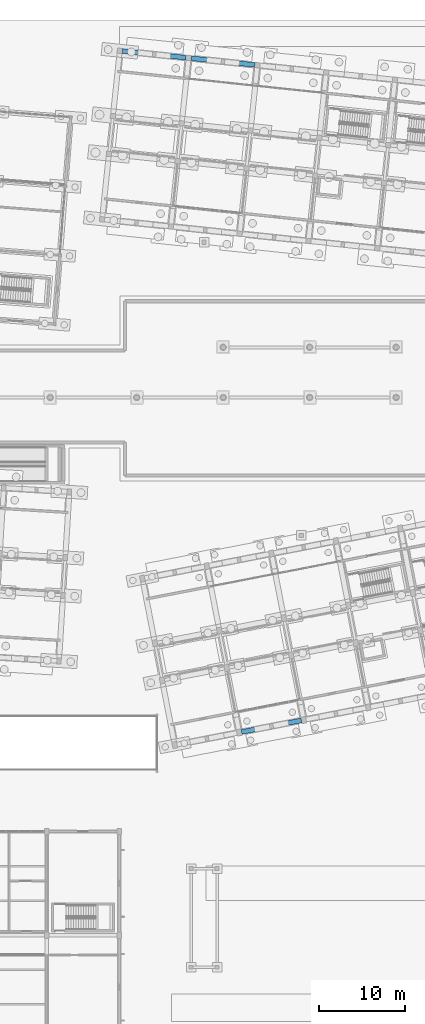
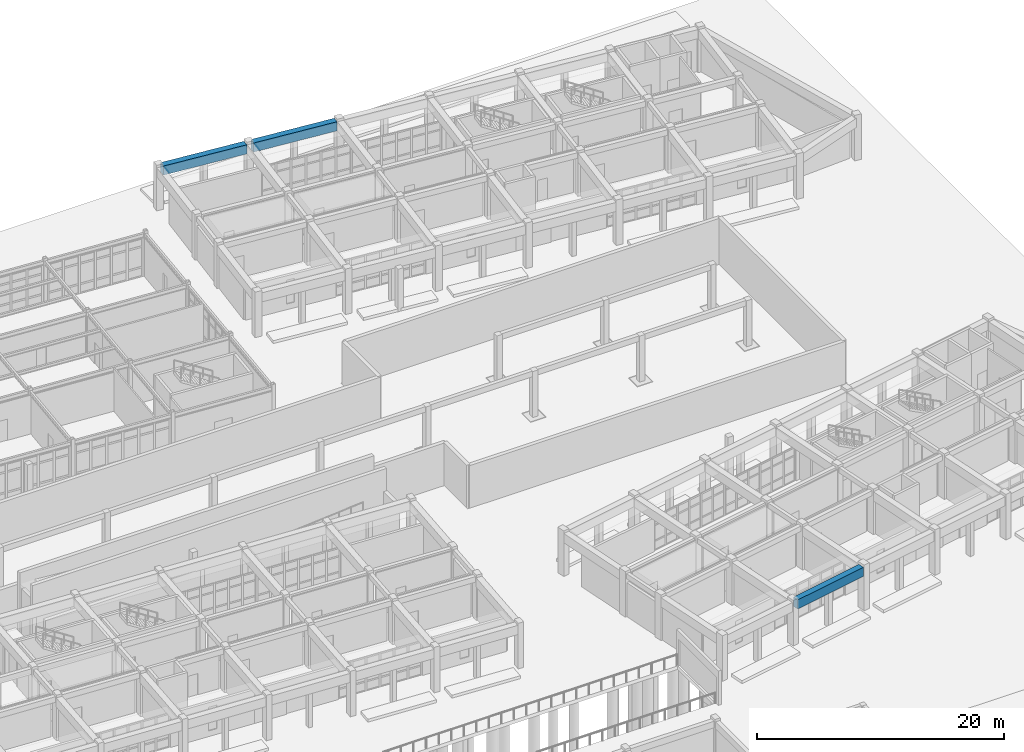
# One storey, part 88 of 154: 3 beams.
"""IFC4 building model written with IfcOpenShell, lengths in metres."""

import ifcopenshell
import ifcopenshell.guid

model = None  # the IFC model being written
_history = None  # IfcOwnerHistory: only IFC2X3 demands one
_inside = {}  # id of a spatial element -> (the spatial element, [elements in it])
_under = {}  # id of a project, library or spatial element -> (it, [spatial elements below it])
_declared = {}  # id of a project -> (the project, [libraries it declares])
_typed = {}  # id of a type object -> (the type object, [elements of that type])
_made_of = {}  # id of a material, layer set ... -> (it, [elements and type objects made of it])


def new_model(schema):
    """Start an empty IFC model of exactly this schema.

    Asked for "IFC4X3", IfcOpenShell would pick the latest addendum, in which some entities
    have other attributes; the version numbers below select the first issue.
    IFC2X3 requires an IfcOwnerHistory on every rooted entity: one is made here for all.
    """
    global model, _history
    if schema == "IFC4X3":
        model = ifcopenshell.file(schema_version=(4, 3, 0, 0))
    else:
        model = ifcopenshell.file(schema=schema)
    _inside.clear()
    _under.clear()
    _declared.clear()
    _typed.clear()
    _made_of.clear()
    _history = None
    if model.schema == "IFC2X3":
        org = make("IfcOrganization", Name="unknown")
        user = make(
            "IfcPersonAndOrganization",
            ThePerson=make("IfcPerson", FamilyName="unknown"),
            TheOrganization=org,
        )
        app = make(
            "IfcApplication",
            ApplicationDeveloper=org,
            Version="unknown",
            ApplicationFullName="unknown",
            ApplicationIdentifier="unknown",
        )
        _history = make(
            "IfcOwnerHistory",
            OwningUser=user,
            OwningApplication=app,
            ChangeAction="ADDED",
            CreationDate=0,
        )
    return model


def make(cls, **values):
    """One entity of the class cls with the attributes given. An attribute that is None is left unset."""
    return model.create_entity(
        cls, **{name: value for name, value in values.items() if value is not None}
    )


def rooted(cls, **values):
    """An entity with a GlobalId (a new one), such as an element, a storey or a relation."""
    return make(cls, GlobalId=ifcopenshell.guid.new(), OwnerHistory=_history, **values)


def si_unit(unit_type, name, prefix=None):
    """IfcSIUnit, for example si_unit("LENGTHUNIT", "METRE", prefix="MILLI")."""
    return make("IfcSIUnit", UnitType=unit_type, Prefix=prefix, Name=name)


def assignment(units):
    """IfcUnitAssignment: the units of a project."""
    return None if units is None else make("IfcUnitAssignment", Units=units)


def point(xyz):
    """IfcCartesianPoint."""
    return None if xyz is None else make("IfcCartesianPoint", Coordinates=xyz)


def direction(xyz):
    """IfcDirection."""
    return None if xyz is None else make("IfcDirection", DirectionRatios=xyz)


def frame(location, z_axis=None, x_axis=None):
    """IfcAxis2Placement3D, a coordinate frame: its origin and axes. An axis left out is left unset."""
    return make(
        "IfcAxis2Placement3D",
        Location=point(location),
        Axis=direction(z_axis),
        RefDirection=direction(x_axis),
    )


def frame_2d(location, x_axis=None):
    """IfcAxis2Placement2D, a coordinate frame in the plane: its origin and x axis."""
    return make(
        "IfcAxis2Placement2D", Location=point(location), RefDirection=direction(x_axis)
    )


def origin():
    """The frame at (0, 0, 0) with its axes left unset."""
    return frame((0.0, 0.0, 0.0))


def origin_2d():
    """The frame at (0, 0) in the plane with its x axis left unset."""
    return frame_2d((0.0, 0.0))


def place(relative_to, where):
    """IfcLocalPlacement: puts the frame where relative to a parent placement (None: the world)."""
    return make(
        "IfcLocalPlacement", PlacementRelTo=relative_to, RelativePlacement=where
    )


def context(
    kind, dimensions, precision=None, world=None, true_north=None, identifier=None
):
    """IfcGeometricRepresentationContext, for example the 3D "Model" context."""
    return make(
        "IfcGeometricRepresentationContext",
        ContextIdentifier=identifier,
        ContextType=kind,
        CoordinateSpaceDimension=dimensions,
        Precision=precision,
        WorldCoordinateSystem=world,
        TrueNorth=true_north,
    )


def subcontext(parent, identifier, kind, view, scale=None):
    """IfcGeometricRepresentationSubContext, for example "Body" below "Model"."""
    return make(
        "IfcGeometricRepresentationSubContext",
        ContextIdentifier=identifier,
        ContextType=kind,
        ParentContext=parent,
        TargetScale=scale,
        TargetView=view,
    )


def project(units=None, contexts=None):
    """IfcProject with its units and contexts."""
    return rooted(
        "IfcProject",
        Name="project",
        RepresentationContexts=contexts,
        UnitsInContext=assignment(units),
    )


def spatial(cls, under=None, at=None, **own):
    """A site, building, storey or space (cls), placed at a placement, below another one or the project."""
    s = rooted(cls, ObjectPlacement=at, **own)
    if under is not None:
        _under.setdefault(under.id(), (under, []))[1].append(s)
    return s


def profile(cls, at=None, kind="AREA", **sizes):
    """A parametric profile (cls). Its sizes go by their IFC names, for example OverallWidth=200.0."""
    return make(cls, ProfileType=kind, Position=at, **sizes)


def rectangle(**sizes):
    """IfcRectangleProfileDef."""
    return profile("IfcRectangleProfileDef", **sizes)


def extrude(swept, where, along, depth):
    """IfcExtrudedAreaSolid: the profile swept, set in the frame where, extruded along a direction by depth."""
    return make(
        "IfcExtrudedAreaSolid",
        SweptArea=swept,
        Position=where,
        ExtrudedDirection=direction(along),
        Depth=depth,
    )


def shape(context_of_items, identifier, shape_type, items):
    """IfcShapeRepresentation: the items that make up one representation, for example the "Body"."""
    return make(
        "IfcShapeRepresentation",
        ContextOfItems=context_of_items,
        RepresentationIdentifier=identifier,
        RepresentationType=shape_type,
        Items=items,
    )


def material(Name=None, Category=None):
    """IfcMaterial."""
    return make("IfcMaterial", Name=Name, Category=Category)


def material_profile(
    of_material, cross_section, Name=None, Category=None, Priority=None
):
    """IfcMaterialProfile: a cross section and its material."""
    return make(
        "IfcMaterialProfile",
        Name=Name,
        Material=of_material,
        Profile=cross_section,
        Priority=Priority,
        Category=Category,
    )


def profile_set(profiles, Name=None, composite=None):
    """IfcMaterialProfileSet."""
    return make(
        "IfcMaterialProfileSet",
        Name=Name,
        MaterialProfiles=profiles,
        CompositeProfile=composite,
    )


def made_of(thing, what):
    """Note that an element or type object is made of a material, layer set ...; save() writes the relation."""
    if what is not None:
        _made_of.setdefault(what.id(), (what, []))[1].append(thing)
    return thing


def type_object(cls, material=None, **own):
    """A type object (cls), such as IfcWallType, which elements share."""
    return made_of(rooted(cls, **own), material)


def element(
    cls,
    number,
    at=None,
    inside=None,
    cuts=None,
    type_object=None,
    material=None,
    context=None,
    identifier="Body",
    shape_type=None,
    held_by="IfcProductDefinitionShape",
    body=None,
    shapes=None,
    **own,
):
    """One element of the class cls, such as IfcWall. Its Tag is "e" and its number.

    at: its placement. inside: the storey or other place that contains it. cuts: it is an
    opening in that element (IfcRelVoidsElement). A single representation is given by context,
    identifier, shape_type and body (its items); several are given by shapes. held_by: the class
    of the entity that holds the representations. save() writes the other relations.
    """
    e = rooted(cls, Tag="e%d" % number, ObjectPlacement=at, **own)
    if body is not None:
        shapes = [shape(context, identifier, shape_type, body)]
    if shapes is not None:
        e.Representation = make(held_by, Representations=shapes)
    if inside is not None:
        _inside.setdefault(inside.id(), (inside, []))[1].append(e)
    if cuts is not None:
        rooted(
            "IfcRelVoidsElement", RelatingBuildingElement=cuts, RelatedOpeningElement=e
        )
    if type_object is not None:
        _typed.setdefault(type_object.id(), (type_object, []))[1].append(e)
    return made_of(e, material)


def aggregate(whole, parts):
    """IfcRelAggregates: a whole, such as a stair, and the parts it consists of."""
    return rooted("IfcRelAggregates", RelatingObject=whole, RelatedObjects=parts)


def save(model, path):
    """Write the relations noted so far, then the file.

    IfcRelAggregates (storeys below a building ...), IfcRelContainedInSpatialStructure (elements
    in a storey), IfcRelDefinesByType, IfcRelAssociatesMaterial and IfcRelDeclares: one each for
    every whole, place, type object, material and project.
    """
    for whole, parts in _under.values():
        aggregate(whole, parts)
    for where, things in _inside.values():
        rooted(
            "IfcRelContainedInSpatialStructure",
            RelatedElements=things,
            RelatingStructure=where,
        )
    for kind, things in _typed.values():
        rooted("IfcRelDefinesByType", RelatedObjects=things, RelatingType=kind)
    for what, things in _made_of.values():
        rooted("IfcRelAssociatesMaterial", RelatedObjects=things, RelatingMaterial=what)
    for by, libraries in _declared.values():
        rooted("IfcRelDeclares", RelatingContext=by, RelatedDefinitions=libraries)
    model.write(path)


model = new_model("IFC4")

# Units and contexts
model_context = context("Model", 3, precision=1e-05, world=origin(), true_north=direction((0.0, 1.0)))
body_context = subcontext(model_context, "Body", "Model", "MODEL_VIEW")
ifc_project = project(units=[si_unit("LENGTHUNIT", "METRE"), si_unit("AREAUNIT", "SQUARE_METRE"), si_unit("VOLUMEUNIT", "CUBIC_METRE"), si_unit("PLANEANGLEUNIT", "RADIAN"), si_unit("MASSUNIT", "GRAM", prefix="KILO")], contexts=[model_context])

# Site, building, storey
site_placement = place(None, origin())
site = spatial("IfcSite", under=ifc_project, at=site_placement, CompositionType="ELEMENT")
building_placement = place(site_placement, origin())
building = spatial("IfcBuilding", under=site, at=building_placement, Name="Kestramere Prow Commons", CompositionType="ELEMENT")
storey_placement = place(building_placement, origin())
storey = spatial("IfcBuildingStorey", under=building, at=storey_placement, Name="L00", CompositionType="ELEMENT", Elevation=0.0)

# Beams
ifc_material = material(Name="Precast concrete C40/50", Category="concrete")
ifc_material_profile = material_profile(ifc_material, rectangle(XDim=0.550048828125, YDim=0.89990234375, at=origin_2d()), Name="PC-TG 550x900")
ifc_profile_set = profile_set([ifc_material_profile], Name="Precast concrete C40/50")
beam_type = type_object("IfcBeamType", Name="TG-01 PC-TG 550x900 (EX)", PredefinedType="BEAM", material=ifc_profile_set)
beam_1_placement = place(storey_placement, frame((112.34716796875, 114.26123046875, 3.800048828125), z_axis=(0.994522794159, -0.104519911488, 0.0), x_axis=(0.104519911488, 0.994522794159, 0.0)))
element("IfcBeam", 1, at=beam_1_placement, inside=storey, type_object=beam_type, Name="Block B L00 Longitudinal Beam 4-1", PredefinedType="BEAM", context=body_context, shape_type="SweptSolid", body=[
    extrude(rectangle(XDim=0.550048828125, YDim=0.89990234375, at=origin_2d()), origin(), (0.0, 0.0, 1.0), 7.39990234375),
])
beam_2_placement = place(storey_placement, frame((120.30322265625, 113.425048828125, 3.800048828125), z_axis=(0.994523154564, -0.104516482125, 0.0), x_axis=(0.104516482125, 0.994523154564, 0.0)))
element("IfcBeam", 2, at=beam_2_placement, inside=storey, type_object=beam_type, Name="Block B L00 Longitudinal Beam 4-2", PredefinedType="BEAM", context=body_context, shape_type="SweptSolid", body=[
    extrude(rectangle(XDim=0.550048828125, YDim=0.89990234375, at=origin_2d()), origin(), (0.0, 0.0, 1.0), 7.400146484375),
])
beam_3_placement = place(storey_placement, frame((126.13037109375, 35.502685546875, 3.800048828125), z_axis=(0.981626562328, 0.19081219073, 0.0), x_axis=(-0.19081219073, 0.981626562328, 0.0)))
element("IfcBeam", 3, at=beam_3_placement, inside=storey, type_object=beam_type, Name="Block D L00 Longitudinal Beam 1-2", PredefinedType="BEAM", context=body_context, shape_type="SweptSolid", body=[
    extrude(rectangle(XDim=0.550048828125, YDim=0.89990234375, at=origin_2d()), origin(), (0.0, 0.0, 1.0), 7.050048828125),
])

save(model, "model.ifc")
